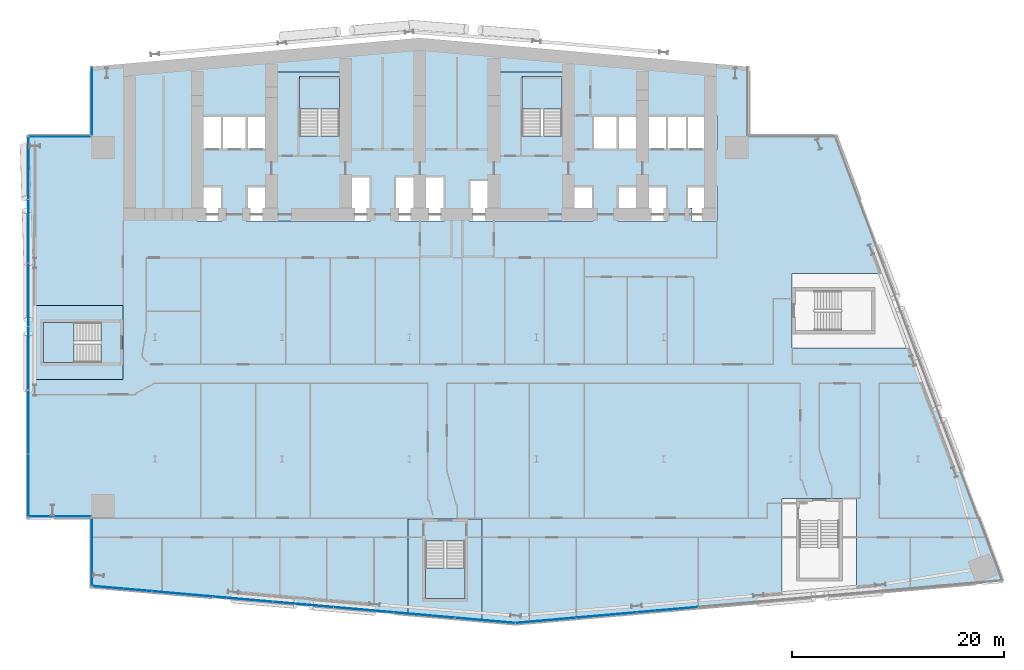
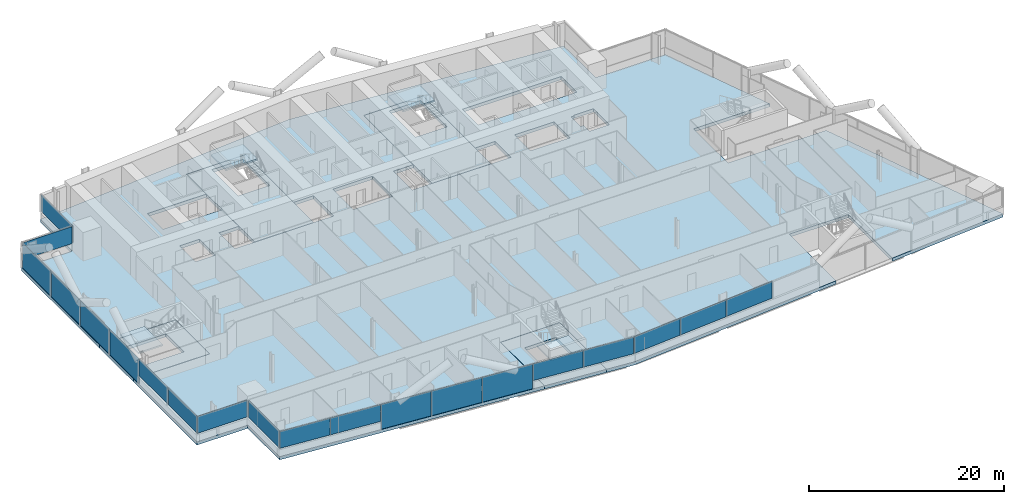
# One storey, part 11 of 28: 20 plates, 9 slabs, 11 elements without a shape of their own.
"""IFC4 building model written with IfcOpenShell, lengths in metres."""

from ifc_helpers import new_model, si_unit, direction, frame, origin, origin_2d, place, context, subcontext, project, spatial, polyline, rectangle, outline, extrude, material, layer, layer_set, type_object, element, aggregate, save


model = new_model("IFC4")

# Units and contexts
model_context = context("Model", 3, precision=1e-05, world=origin(), true_north=direction((0.0, 1.0)))
body_context = subcontext(model_context, "Body", "Model", "MODEL_VIEW")
ifc_project = project(units=[si_unit("LENGTHUNIT", "METRE"), si_unit("AREAUNIT", "SQUARE_METRE"), si_unit("VOLUMEUNIT", "CUBIC_METRE"), si_unit("PLANEANGLEUNIT", "RADIAN"), si_unit("MASSUNIT", "GRAM", prefix="KILO")], contexts=[model_context])

# Site, building, storey
site_placement = place(None, origin())
site = spatial("IfcSite", under=ifc_project, at=site_placement, CompositionType="ELEMENT")
building_placement = place(site_placement, origin())
building = spatial("IfcBuilding", under=site, at=building_placement, Name="Wharfspan Tower", CompositionType="ELEMENT")
storey_placement = place(building_placement, frame((0.0, 0.0, 59.5)))
storey = spatial("IfcBuildingStorey", under=building, at=storey_placement, Name="L11", CompositionType="ELEMENT", Elevation=59.5)

# Curtain wall, plates
ifc_material_1 = material(Name="Aluminium 6063-T6", Category="aluminium")
curtain_wall_type_1 = type_object("IfcCurtainWallType", Name="CURTAIN WALL FACETED FRONT", PredefinedType="NOTDEFINED", material=ifc_material_1)
curtain_wall_1_placement = place(storey_placement, origin())
curtain_wall_1 = element("IfcCurtainWall", 1, at=curtain_wall_1_placement, inside=storey, type_object=curtain_wall_type_1, Name="Curtain wall S1", PredefinedType="NOTDEFINED")
ifc_material_2 = material(Name="Glass clear low-iron double glazing", Category="glass")
ifc_layer_1 = layer(ifc_material_2, 0.040039)
ifc_layer_set_1 = layer_set([ifc_layer_1], Name="Glass clear low-iron double glazing")
plate_type_1 = type_object("IfcPlateType", Name="GLASS PANEL FACETED FRONT 40", PredefinedType="CURTAIN_PANEL", material=ifc_layer_set_1)
plate_1_placement = place(storey_placement, frame((8.877197, -0.716553, 1.0), z_axis=(0.0, 0.0, 1.0), x_axis=(0.996197, -0.087156, 0.0)))
plate_1 = element("IfcPlate", 2, at=plate_1_placement, type_object=plate_type_1, Name="Curtain wall S1 panel 1", PredefinedType="CURTAIN_PANEL", context=body_context, shape_type="SweptSolid", body=[
    extrude(rectangle(XDim=5.645996, YDim=0.040039, at=origin_2d()), origin(), (0.0, 0.0, 1.0), 2.120117),
])
plate_2_placement = place(storey_placement, frame((14.57666, -1.215088, 1.0), z_axis=(0.0, 0.0, 1.0), x_axis=(0.996197, -0.087156, 0.0)))
plate_2 = element("IfcPlate", 3, at=plate_2_placement, type_object=plate_type_1, Name="Curtain wall S1 panel 2", PredefinedType="CURTAIN_PANEL", context=body_context, shape_type="SweptSolid", body=[
    extrude(rectangle(XDim=5.676025, YDim=0.040039, at=origin_2d()), origin(), (0.0, 0.0, 1.0), 2.120117),
])
plate_3_placement = place(storey_placement, frame((37.433838, -3.214844, 1.0), z_axis=(0.0, 0.0, 1.0), x_axis=(0.996197, -0.087156, 0.0)))
plate_3 = element("IfcPlate", 4, at=plate_3_placement, type_object=plate_type_1, Name="Curtain wall S1 panel 6", PredefinedType="CURTAIN_PANEL", context=body_context, shape_type="SweptSolid", body=[
    extrude(rectangle(XDim=5.676025, YDim=0.040039, at=origin_2d()), origin(), (0.0, 0.0, 1.0), 2.120117),
])
plate_4_placement = place(storey_placement, frame((43.133057, -3.713379, 1.0), z_axis=(0.0, 0.0, 1.0), x_axis=(0.996197, -0.087156, 0.0)))
plate_4 = element("IfcPlate", 5, at=plate_4_placement, type_object=plate_type_1, Name="Curtain wall S1 panel 7", PredefinedType="CURTAIN_PANEL", context=body_context, shape_type="SweptSolid", body=[
    extrude(rectangle(XDim=5.645996, YDim=0.040039, at=origin_2d()), origin(), (0.0, 0.0, 1.0), 2.120117),
])

curtain_wall_2_placement = place(storey_placement, origin())
curtain_wall_2 = element("IfcCurtainWall", 6, at=curtain_wall_2_placement, inside=storey, type_object=curtain_wall_type_1, Name="Curtain wall S2", PredefinedType="NOTDEFINED")
plate_5_placement = place(storey_placement, frame((48.884766, -3.711914, 1.0), z_axis=(0.0, 0.0, 1.0), x_axis=(0.996197, 0.087156, 0.0)))
plate_5 = element("IfcPlate", 7, at=plate_5_placement, type_object=plate_type_1, Name="Curtain wall S2 panel 1", PredefinedType="CURTAIN_PANEL", context=body_context, shape_type="SweptSolid", body=[
    extrude(rectangle(XDim=5.681885, YDim=0.040039, at=origin_2d()), origin(), (0.0, 0.0, 1.0), 2.120117),
])
plate_6_placement = place(storey_placement, frame((54.619873, -3.210205, 1.0), z_axis=(0.0, 0.0, 1.0), x_axis=(0.996197, 0.087156, 0.0)))
plate_6 = element("IfcPlate", 8, at=plate_6_placement, type_object=plate_type_1, Name="Curtain wall S2 panel 2", PredefinedType="CURTAIN_PANEL", context=body_context, shape_type="SweptSolid", body=[
    extrude(rectangle(XDim=5.711914, YDim=0.040039, at=origin_2d()), origin(), (0.0, 0.0, 1.0), 2.120117),
])
plate_7_placement = place(storey_placement, frame((60.369873, -2.707031, 1.0), z_axis=(0.0, 0.0, 1.0), x_axis=(0.996197, 0.087156, 0.0)))
plate_7 = element("IfcPlate", 9, at=plate_7_placement, type_object=plate_type_1, Name="Curtain wall S2 panel 3", PredefinedType="CURTAIN_PANEL", context=body_context, shape_type="SweptSolid", body=[
    extrude(rectangle(XDim=5.711914, YDim=0.040039, at=origin_2d()), origin(), (0.0, 0.0, 1.0), 2.120117),
])
aggregate(curtain_wall_2, [plate_5, plate_6, plate_7])

# Curtain wall, plate
curtain_wall_type_2 = type_object("IfcCurtainWallType", Name="CURTAIN WALL PROW AND END", PredefinedType="NOTDEFINED", material=ifc_material_1)
curtain_wall_3_placement = place(storey_placement, origin())
curtain_wall_3 = element("IfcCurtainWall", 10, at=curtain_wall_3_placement, inside=storey, type_object=curtain_wall_type_2, Name="Curtain wall NRW-V", PredefinedType="NOTDEFINED")
ifc_layer_2 = layer(ifc_material_2, 0.040039)
ifc_layer_set_2 = layer_set([ifc_layer_2], Name="Glass clear low-iron double glazing")
plate_type_2 = type_object("IfcPlateType", Name="GLASS PANEL PROW AND END 40", PredefinedType="CURTAIN_PANEL", material=ifc_layer_set_2)
plate_8_placement = place(storey_placement, frame((6.080078, 45.262451, 1.0), z_axis=(0.0, 0.0, 1.0), x_axis=(0.0, -1.0, 0.0)))
plate_8 = element("IfcPlate", 11, at=plate_8_placement, type_object=plate_type_2, Name="Curtain wall NRW-V panel 1", PredefinedType="CURTAIN_PANEL", context=body_context, shape_type="SweptSolid", body=[
    extrude(rectangle(XDim=6.405029, YDim=0.040039, at=origin_2d()), origin(), (0.0, 0.0, 1.0), 2.120117),
])
aggregate(curtain_wall_3, [plate_8])

curtain_wall_4_placement = place(storey_placement, origin())
curtain_wall_4 = element("IfcCurtainWall", 12, at=curtain_wall_4_placement, inside=storey, type_object=curtain_wall_type_2, Name="Curtain wall NRW-H", PredefinedType="NOTDEFINED")
plate_9_placement = place(storey_placement, frame((3.0, 41.919922, 1.0), z_axis=(0.0, 0.0, 1.0), x_axis=(-1.0, 0.0, 0.0)))
plate_9 = element("IfcPlate", 13, at=plate_9_placement, type_object=plate_type_2, Name="Curtain wall NRW-H panel 1", PredefinedType="CURTAIN_PANEL", context=body_context, shape_type="SweptSolid", body=[
    extrude(rectangle(XDim=5.879883, YDim=0.040039, at=origin_2d()), origin(), (0.0, 0.0, 1.0), 2.120117),
])
aggregate(curtain_wall_4, [plate_9])

# Curtain wall, plates
curtain_wall_5_placement = place(storey_placement, origin())
curtain_wall_5 = element("IfcCurtainWall", 14, at=curtain_wall_5_placement, inside=storey, type_object=curtain_wall_type_2, Name="Curtain wall W", PredefinedType="NOTDEFINED")
plate_10_placement = place(storey_placement, frame((0.080078, 15.0, 1.0), z_axis=(0.0, 0.0, 1.0), x_axis=(0.0, -1.0, 0.0)))
plate_10 = element("IfcPlate", 15, at=plate_10_placement, type_object=plate_type_2, Name="Curtain wall W panel 5", PredefinedType="CURTAIN_PANEL", context=body_context, shape_type="SweptSolid", body=[
    extrude(rectangle(XDim=5.939941, YDim=0.040039, at=origin_2d()), origin(), (0.0, 0.0, 1.0), 2.120117),
])
plate_11_placement = place(storey_placement, frame((0.080078, 9.014893, 1.0), z_axis=(0.0, 0.0, 1.0), x_axis=(0.0, -1.0, 0.0)))
plate_11 = element("IfcPlate", 16, at=plate_11_placement, type_object=plate_type_2, Name="Curtain wall W panel 6", PredefinedType="CURTAIN_PANEL", context=body_context, shape_type="SweptSolid", body=[
    extrude(rectangle(XDim=5.909912, YDim=0.040039, at=origin_2d()), origin(), (0.0, 0.0, 1.0), 2.120117),
])

# Curtain wall, plate
curtain_wall_6_placement = place(storey_placement, origin())
curtain_wall_6 = element("IfcCurtainWall", 17, at=curtain_wall_6_placement, inside=storey, type_object=curtain_wall_type_2, Name="Curtain wall NFW-H", PredefinedType="NOTDEFINED")
plate_12_placement = place(storey_placement, frame((3.0, 6.080078, 1.0), z_axis=(0.0, 0.0, 1.0), x_axis=(1.0, 0.0, 0.0)))
plate_12 = element("IfcPlate", 18, at=plate_12_placement, type_object=plate_type_2, Name="Curtain wall NFW-H panel 1", PredefinedType="CURTAIN_PANEL", context=body_context, shape_type="SweptSolid", body=[
    extrude(rectangle(XDim=5.879883, YDim=0.040039, at=origin_2d()), origin(), (0.0, 0.0, 1.0), 2.120117),
])
aggregate(curtain_wall_6, [plate_12])

curtain_wall_7_placement = place(storey_placement, origin())
curtain_wall_7 = element("IfcCurtainWall", 19, at=curtain_wall_7_placement, inside=storey, type_object=curtain_wall_type_2, Name="Curtain wall NFW-V", PredefinedType="NOTDEFINED")
plate_13_placement = place(storey_placement, frame((6.080078, 2.737549, 1.0), z_axis=(0.0, 0.0, 1.0), x_axis=(0.0, -1.0, 0.0)))
plate_13 = element("IfcPlate", 20, at=plate_13_placement, type_object=plate_type_2, Name="Curtain wall NFW-V panel 1", PredefinedType="CURTAIN_PANEL", context=body_context, shape_type="SweptSolid", body=[
    extrude(rectangle(XDim=6.405029, YDim=0.040039, at=origin_2d()), origin(), (0.0, 0.0, 1.0), 2.120117),
])
aggregate(curtain_wall_7, [plate_13])

# Plate
ifc_material_3 = material(Name="Aluminium composite opaque insulated panel", Category="aluminium")
ifc_layer_3 = layer(ifc_material_3, 0.040039)
ifc_layer_set_3 = layer_set([ifc_layer_3], Name="Aluminium composite opaque insulated panel")
plate_type_3 = type_object("IfcPlateType", Name="INFILL PANEL FACETED FRONT OPAQUE 40", PredefinedType="SHEET", material=ifc_layer_set_3)
plate_14_placement = place(storey_placement, frame((20.291016, -1.715088, 0.0), z_axis=(0.0, 0.0, 1.0), x_axis=(0.996197, -0.087156, 0.0)))
plate_14 = element("IfcPlate", 21, at=plate_14_placement, type_object=plate_type_3, Name="Curtain wall S1 panel 3", PredefinedType="SHEET", context=body_context, shape_type="SweptSolid", body=[
    extrude(rectangle(XDim=5.676025, YDim=0.040039, at=origin_2d()), origin(), (0.0, 0.0, 1.0), 3.120117),
])

plate_15_placement = place(storey_placement, frame((26.005127, -2.214844, 0.0), z_axis=(0.0, 0.0, 1.0), x_axis=(0.996197, -0.087156, 0.0)))
plate_15 = element("IfcPlate", 22, at=plate_15_placement, type_object=plate_type_3, Name="Curtain wall S1 panel 4", PredefinedType="SHEET", context=body_context, shape_type="SweptSolid", body=[
    extrude(rectangle(XDim=5.676025, YDim=0.040039, at=origin_2d()), origin(), (0.0, 0.0, 1.0), 3.120117),
])

plate_16_placement = place(storey_placement, frame((31.719482, -2.714844, 0.0), z_axis=(0.0, 0.0, 1.0), x_axis=(0.996197, -0.087156, 0.0)))
plate_16 = element("IfcPlate", 23, at=plate_16_placement, type_object=plate_type_3, Name="Curtain wall S1 panel 5", PredefinedType="SHEET", context=body_context, shape_type="SweptSolid", body=[
    extrude(rectangle(XDim=5.676025, YDim=0.040039, at=origin_2d()), origin(), (0.0, 0.0, 1.0), 3.120117),
])

aggregate(curtain_wall_1, [plate_1, plate_2, plate_14, plate_15, plate_16, plate_3, plate_4])

ifc_layer_4 = layer(ifc_material_3, 0.040039)
ifc_layer_set_4 = layer_set([ifc_layer_4], Name="Aluminium composite opaque insulated panel")
plate_type_4 = type_object("IfcPlateType", Name="INFILL PANEL PROW AND END OPAQUE 40", PredefinedType="SHEET", material=ifc_layer_set_4)
plate_17_placement = place(storey_placement, frame((0.080078, 38.985107, 0.0), z_axis=(0.0, 0.0, 1.0), x_axis=(0.0, -1.0, 0.0)))
plate_17 = element("IfcPlate", 24, at=plate_17_placement, type_object=plate_type_4, Name="Curtain wall W panel 1", PredefinedType="SHEET", context=body_context, shape_type="SweptSolid", body=[
    extrude(rectangle(XDim=5.909912, YDim=0.040039, at=origin_2d()), origin(), (0.0, 0.0, 1.0), 3.120117),
])

plate_18_placement = place(storey_placement, frame((0.080078, 33.0, 0.0), z_axis=(0.0, 0.0, 1.0), x_axis=(0.0, -1.0, 0.0)))
plate_18 = element("IfcPlate", 25, at=plate_18_placement, type_object=plate_type_4, Name="Curtain wall W panel 2", PredefinedType="SHEET", context=body_context, shape_type="SweptSolid", body=[
    extrude(rectangle(XDim=5.939941, YDim=0.040039, at=origin_2d()), origin(), (0.0, 0.0, 1.0), 3.120117),
])

plate_19_placement = place(storey_placement, frame((0.080078, 27.0, 0.0), z_axis=(0.0, 0.0, 1.0), x_axis=(0.0, -1.0, 0.0)))
plate_19 = element("IfcPlate", 26, at=plate_19_placement, type_object=plate_type_4, Name="Curtain wall W panel 3", PredefinedType="SHEET", context=body_context, shape_type="SweptSolid", body=[
    extrude(rectangle(XDim=5.939941, YDim=0.040039, at=origin_2d()), origin(), (0.0, 0.0, 1.0), 3.120117),
])

plate_20_placement = place(storey_placement, frame((0.080078, 21.0, 0.0), z_axis=(0.0, 0.0, 1.0), x_axis=(0.0, -1.0, 0.0)))
plate_20 = element("IfcPlate", 27, at=plate_20_placement, type_object=plate_type_4, Name="Curtain wall W panel 4", PredefinedType="SHEET", context=body_context, shape_type="SweptSolid", body=[
    extrude(rectangle(XDim=5.939941, YDim=0.040039, at=origin_2d()), origin(), (0.0, 0.0, 1.0), 3.120117),
])

aggregate(curtain_wall_5, [plate_17, plate_18, plate_19, plate_20, plate_10, plate_11])

# Slabs
ifc_material_4 = material(Name="Concrete C40/50", Category="concrete")
ifc_layer_5 = layer(ifc_material_4, 0.399902)
ifc_layer_set_5 = layer_set([ifc_layer_5], Name="Concrete C40/50")
slab_type_1 = type_object("IfcSlabType", Name="Post-tensioned flat slab 400", PredefinedType="FLOOR", material=ifc_layer_set_5)
slab_1_placement = place(storey_placement, frame((0.0, 0.0, -0.400146)))
element("IfcSlab", 28, at=slab_1_placement, inside=storey, type_object=slab_type_1, Name="Floor slab L11", PredefinedType="FLOOR", context=body_context, shape_type="SweptSolid", body=[
    extrude(outline(polyline([(35.873291, -3.138428), (35.873291, 5.870605), (42.893311, 5.870605), (42.893311, -3.752686), (46.0, -4.024414), (71.182617, -1.821289), (71.182617, 7.802002), (78.202393, 7.802002), (78.202393, -1.207031), (92.0, 0.0), (83.753662, 21.98999), (72.11499, 21.98999), (72.11499, 29.01001), (81.121338, 29.01001), (76.25, 42.0), (68.0, 42.0), (68.0, 48.524902), (37.0, 51.237061), (6.0, 48.524902), (6.0, 42.0), (0.0, 42.0), (0.0, 26.01001), (9.01001, 26.01001), (9.01001, 18.98999), (0.0, 18.98999), (0.0, 6.0), (6.0, 6.0), (6.0, -0.524902), (35.873291, -3.138428)]), holes=[polyline([(62.290039, 37.159912), (62.656738, 37.159912), (62.656738, 37.26001), (65.01001, 37.26001), (65.01001, 33.98999), (62.656738, 33.98999), (62.656738, 35.189941), (62.290039, 35.189941), (62.290039, 37.159912)]), polyline([(65.01001, 43.909912), (65.01001, 40.689941), (53.323242, 40.689941), (53.323242, 43.909912), (65.01001, 43.909912)]), polyline([(55.656738, 33.98999), (55.656738, 37.26001), (60.343262, 37.26001), (60.343262, 33.98999), (55.656738, 33.98999)]), polyline([(43.98999, 37.860107), (43.98999, 48.01001), (51.01001, 48.01001), (51.01001, 37.26001), (53.343262, 37.26001), (53.343262, 33.98999), (41.656738, 33.98999), (41.656738, 37.860107), (43.98999, 37.860107)]), polyline([(34.656738, 33.98999), (34.656738, 38.159912), (39.343262, 38.159912), (39.343262, 33.98999), (34.656738, 33.98999)]), polyline([(15.98999, 40.689941), (15.98999, 43.909912), (20.656738, 43.909912), (20.676758, 43.909912), (22.98999, 43.909912), (22.98999, 48.01001), (30.01001, 48.01001), (30.01001, 38.159912), (32.343262, 38.159912), (32.343262, 33.98999), (20.656738, 33.98999), (20.656738, 37.26001), (22.98999, 37.26001), (22.98999, 40.689941), (20.676758, 40.689941), (20.656738, 40.689941), (15.98999, 40.689941)]), polyline([(18.343262, 37.26001), (18.343262, 33.98999), (15.98999, 33.98999), (15.98999, 37.26001), (18.343262, 37.26001)])]), origin(), (0.0, 0.0, 1.0), 0.400146),
])
slab_2_placement = place(storey_placement, frame((0.0, 0.0, -0.400146)))
element("IfcSlab", 29, at=slab_2_placement, inside=storey, type_object=slab_type_1, Name="Core floor slab L11 part 1", PredefinedType="FLOOR", context=body_context, shape_type="SweptSolid", body=[
    extrude(outline(polyline([(9.0, 20.324951), (9.0, 24.675049), (9.0, 26.0), (0.0, 26.0), (0.0, 19.0), (9.0, 19.0), (9.0, 20.324951)]), holes=[polyline([(6.9021, 20.625), (6.9021, 20.624756), (6.9021, 20.624512), (6.901855, 20.624512), (6.901855, 20.624268), (6.901855, 20.624023), (6.901611, 20.623779), (6.901611, 20.623779), (6.901367, 20.623535), (6.901367, 20.623535), (6.901123, 20.623291), (6.900879, 20.623291), (6.900879, 20.623291), (6.900635, 20.623047), (6.900391, 20.623047), (6.900146, 20.623047), (6.899902, 20.623047), (1.5, 20.623047), (1.499756, 20.623047), (1.499512, 20.623047), (1.499512, 20.623047), (1.499268, 20.623291), (1.499023, 20.623291), (1.498779, 20.623291), (1.498779, 20.623535), (1.498535, 20.623535), (1.498535, 20.623779), (1.498291, 20.623779), (1.498291, 20.624023), (1.498291, 20.624268), (1.498047, 20.624512), (1.498047, 20.624512), (1.498047, 20.624756), (1.498047, 20.625), (1.498047, 24.375), (1.498047, 24.375244), (1.498047, 24.375488), (1.498047, 24.375488), (1.498291, 24.375732), (1.498291, 24.375977), (1.498291, 24.376221), (1.498535, 24.376221), (1.498535, 24.376465), (1.498779, 24.376465), (1.498779, 24.376709), (1.499023, 24.376709), (1.499268, 24.376709), (1.499512, 24.376953), (1.499512, 24.376953), (1.499756, 24.376953), (1.5, 24.376953), (6.899902, 24.376953), (6.900146, 24.376953), (6.900391, 24.376953), (6.900635, 24.376953), (6.900879, 24.376709), (6.900879, 24.376709), (6.901123, 24.376709), (6.901367, 24.376465), (6.901367, 24.376465), (6.901611, 24.376221), (6.901611, 24.376221), (6.901855, 24.375977), (6.901855, 24.375732), (6.901855, 24.375488), (6.9021, 24.375488), (6.9021, 24.375244), (6.9021, 24.375), (6.9021, 20.625)])]), origin(), (0.0, 0.0, 1.0), 0.400146),
])
slab_3_placement = place(storey_placement, frame((0.0, 0.0, -0.400146)))
element("IfcSlab", 30, at=slab_3_placement, inside=storey, type_object=slab_type_1, Name="Core floor slab L11 part 2", PredefinedType="FLOOR", context=body_context, shape_type="SweptSolid", body=[
    extrude(outline(polyline([(20.664795, 34.0), (20.664795, 37.25), (20.664795, 37.250244), (20.664795, 37.250488), (20.664795, 37.250488), (20.664795, 37.250732), (20.664795, 37.250977), (20.665039, 37.251221), (20.665039, 37.251221), (20.665283, 37.251465), (20.665283, 37.251465), (20.665527, 37.251709), (20.665771, 37.251709), (20.666016, 37.251709), (20.666016, 37.251953), (20.66626, 37.251953), (20.666504, 37.251953), (20.666748, 37.251953), (23.0, 37.251953), (23.000244, 37.251953), (23.000488, 37.251953), (23.000488, 37.251953), (23.000732, 37.251709), (23.000977, 37.251709), (23.001221, 37.251709), (23.001221, 37.251465), (23.001465, 37.251465), (23.001465, 37.251221), (23.001709, 37.251221), (23.001709, 37.250977), (23.001709, 37.250732), (23.001953, 37.250488), (23.001953, 37.250488), (23.001953, 37.250244), (23.001953, 37.25), (23.001953, 34.0), (29.998047, 34.0), (29.998047, 38.149902), (29.998047, 38.150146), (29.998047, 38.150391), (29.998047, 38.150635), (29.998291, 38.150879), (29.998291, 38.150879), (29.998291, 38.151123), (29.998535, 38.151367), (29.998535, 38.151367), (29.998779, 38.151611), (29.998779, 38.151611), (29.999023, 38.151855), (29.999268, 38.151855), (29.999512, 38.151855), (29.999512, 38.1521), (29.999756, 38.1521), (30.0, 38.1521), (32.333252, 38.1521), (32.333496, 38.1521), (32.33374, 38.1521), (32.333984, 38.151855), (32.333984, 38.151855), (32.334229, 38.151855), (32.334473, 38.151611), (32.334717, 38.151611), (32.334717, 38.151367), (32.334961, 38.151367), (32.334961, 38.151123), (32.335205, 38.150879), (32.335205, 38.150879), (32.335205, 38.150635), (32.335205, 38.150391), (32.335205, 38.150146), (32.335205, 38.149902), (32.335205, 34.0), (32.341309, 34.0), (32.341309, 38.157959), (30.01001, 38.157959), (30.009766, 38.157959), (30.009521, 38.157959), (30.009521, 38.158203), (30.009277, 38.158203), (30.009033, 38.158203), (30.008789, 38.158203), (30.008789, 38.158447), (30.008545, 38.158691), (30.008545, 38.158691), (30.008301, 38.158936), (30.008301, 38.15918), (30.008301, 38.15918), (30.008057, 38.159424), (30.008057, 38.159668), (30.008057, 38.159912), (30.008057, 38.159912), (30.008057, 48.008057), (22.991943, 48.008057), (22.991943, 43.909912), (22.991943, 43.909912), (22.991943, 43.909668), (22.991943, 43.909424), (22.991699, 43.90918), (22.991699, 43.90918), (22.991699, 43.908936), (22.991455, 43.908691), (22.991455, 43.908691), (22.991211, 43.908447), (22.991211, 43.908203), (22.990967, 43.908203), (22.990723, 43.908203), (22.990479, 43.908203), (22.990479, 43.907959), (22.990234, 43.907959), (22.98999, 43.907959), (15.991943, 43.907959), (15.991943, 40.691895), (22.98999, 40.691895), (22.990234, 40.691895), (22.990479, 40.691895), (22.990479, 40.691895), (22.990723, 40.691895), (22.990967, 40.691895), (22.991211, 40.69165), (22.991211, 40.691406), (22.991455, 40.691406), (22.991455, 40.691406), (22.991699, 40.691162), (22.991699, 40.690918), (22.991699, 40.690918), (22.991943, 40.690674), (22.991943, 40.69043), (22.991943, 40.690186), (22.991943, 40.689941), (22.991943, 37.26001), (22.991943, 37.259766), (22.991943, 37.259521), (22.991943, 37.259521), (22.991699, 37.259277), (22.991699, 37.259033), (22.991699, 37.258789), (22.991455, 37.258789), (22.991455, 37.258545), (22.991211, 37.258545), (22.991211, 37.258301), (22.990967, 37.258301), (22.990723, 37.258301), (22.990479, 37.258057), (22.990479, 37.258057), (22.990234, 37.258057), (22.98999, 37.258057), (20.658691, 37.258057), (20.658691, 34.0), (20.664795, 34.0)]), holes=[polyline([(29.4021, 42.0), (29.4021, 41.999756), (29.4021, 41.999512), (29.401855, 41.999512), (29.401855, 41.999268), (29.401855, 41.999023), (29.401611, 41.998779), (29.401611, 41.998779), (29.401367, 41.998535), (29.401367, 41.998535), (29.401123, 41.998291), (29.400879, 41.998291), (29.400879, 41.998291), (29.400635, 41.998047), (29.400391, 41.998047), (29.400146, 41.998047), (29.399902, 41.998047), (25.649902, 41.998047), (25.649902, 41.998047), (25.649658, 41.998047), (25.649414, 41.998047), (25.64917, 41.998291), (25.64917, 41.998291), (25.648926, 41.998291), (25.648682, 41.998535), (25.648682, 41.998535), (25.648438, 41.998779), (25.648193, 41.998779), (25.648193, 41.999023), (25.648193, 41.999268), (25.648193, 41.999512), (25.647949, 41.999512), (25.647949, 41.999756), (25.647949, 42.0), (25.647949, 47.399902), (25.647949, 47.400146), (25.647949, 47.400391), (25.648193, 47.400635), (25.648193, 47.400879), (25.648193, 47.400879), (25.648193, 47.401123), (25.648438, 47.401367), (25.648682, 47.401367), (25.648682, 47.401611), (25.648926, 47.401611), (25.64917, 47.401855), (25.64917, 47.401855), (25.649414, 47.401855), (25.649658, 47.4021), (25.649902, 47.4021), (25.649902, 47.4021), (29.399902, 47.4021), (29.400146, 47.4021), (29.400391, 47.4021), (29.400635, 47.401855), (29.400879, 47.401855), (29.400879, 47.401855), (29.401123, 47.401611), (29.401367, 47.401611), (29.401367, 47.401367), (29.401611, 47.401367), (29.401611, 47.401123), (29.401855, 47.400879), (29.401855, 47.400879), (29.401855, 47.400635), (29.4021, 47.400391), (29.4021, 47.400146), (29.4021, 47.399902), (29.4021, 42.0)]), polyline([(16.0, 40.697998), (15.999756, 40.697998), (15.999512, 40.697998), (15.999512, 40.697998), (15.999268, 40.698242), (15.999023, 40.698242), (15.998779, 40.698242), (15.998779, 40.698486), (15.998535, 40.698486), (15.998535, 40.69873), (15.998291, 40.698975), (15.998291, 40.699219), (15.998291, 40.699219), (15.998047, 40.699463), (15.998047, 40.699707), (15.998047, 40.699707), (15.998047, 40.699951), (15.998047, 43.899902), (15.998047, 43.900146), (15.998047, 43.900391), (15.998047, 43.900635), (15.998291, 43.900879), (15.998291, 43.900879), (15.998291, 43.901123), (15.998535, 43.901367), (15.998535, 43.901367), (15.998779, 43.901611), (15.998779, 43.901611), (15.999023, 43.901855), (15.999268, 43.901855), (15.999512, 43.901855), (15.999512, 43.9021), (15.999756, 43.9021), (16.0, 43.9021), (20.666748, 43.9021), (20.666748, 43.9021), (23.0, 43.9021), (23.000244, 43.9021), (23.000488, 43.9021), (23.000488, 43.901855), (23.000732, 43.901855), (23.000977, 43.901855), (23.001221, 43.901611), (23.001221, 43.901611), (23.001465, 43.901367), (23.001465, 43.901367), (23.001709, 43.901123), (23.001709, 43.900879), (23.001709, 43.900879), (23.001953, 43.900635), (23.001953, 43.900391), (23.001953, 43.900146), (23.001953, 43.899902), (23.001953, 40.699951), (23.001953, 40.699707), (23.001953, 40.699707), (23.001953, 40.699463), (23.001709, 40.699219), (23.001709, 40.699219), (23.001709, 40.698975), (23.001465, 40.69873), (23.001465, 40.698486), (23.001221, 40.698486), (23.001221, 40.698242), (23.000977, 40.698242), (23.000732, 40.698242), (23.000488, 40.697998), (23.000488, 40.697998), (23.000244, 40.697998), (23.0, 40.697998), (20.666748, 40.697998), (20.666748, 40.697998), (16.0, 40.697998)])]), origin(), (0.0, 0.0, 1.0), 0.400146),
])
slab_4_placement = place(storey_placement, frame((0.0, 0.0, -0.400146)))
element("IfcSlab", 31, at=slab_4_placement, inside=storey, type_object=slab_type_1, Name="Core floor slab L11 part 3", PredefinedType="FLOOR", context=body_context, shape_type="SweptSolid", body=[
    extrude(outline(polyline([(41.55835, 5.860596), (37.208252, 5.860596), (35.883301, 5.860596), (35.883301, -3.139404), (42.883301, -3.751709), (42.883301, 5.860596), (41.55835, 5.860596)]), holes=[polyline([(37.506348, 3.760498), (37.506348, 3.760742), (37.506348, 3.760986), (37.506348, 3.76123), (37.506592, 3.761475), (37.506592, 3.761719), (37.506592, 3.761719), (37.506836, 3.761963), (37.506836, 3.761963), (37.50708, 3.762207), (37.50708, 3.762207), (37.507324, 3.762451), (37.507568, 3.762451), (37.507812, 3.762451), (37.507812, 3.762695), (37.508057, 3.762695), (37.508301, 3.762695), (41.258301, 3.762695), (41.258545, 3.762695), (41.258789, 3.762695), (41.258789, 3.762451), (41.259033, 3.762451), (41.259277, 3.762451), (41.259521, 3.762207), (41.259521, 3.762207), (41.259766, 3.761963), (41.26001, 3.761963), (41.26001, 3.761719), (41.26001, 3.761719), (41.260254, 3.761475), (41.260254, 3.76123), (41.260254, 3.760986), (41.260254, 3.760742), (41.260254, 3.760498), (41.260254, -1.639404), (41.260254, -1.639648), (41.260254, -1.639893), (41.260254, -1.639893), (41.260254, -1.640137), (41.26001, -1.640381), (41.26001, -1.640381), (41.26001, -1.640625), (41.259766, -1.640869), (41.259521, -1.640869), (41.259521, -1.641113), (41.259277, -1.641113), (41.259033, -1.641113), (41.258789, -1.641357), (41.258789, -1.641357), (41.258545, -1.641357), (41.258301, -1.641357), (37.508301, -1.641357), (37.508057, -1.641357), (37.507812, -1.641357), (37.507812, -1.641357), (37.507568, -1.641113), (37.507324, -1.641113), (37.50708, -1.641113), (37.50708, -1.640869), (37.506836, -1.640869), (37.506836, -1.640625), (37.506592, -1.640381), (37.506592, -1.640381), (37.506592, -1.640137), (37.506348, -1.639893), (37.506348, -1.639893), (37.506348, -1.639648), (37.506348, -1.639404), (37.506348, 3.760498)])]), origin(), (0.0, 0.0, 1.0), 0.400146),
])
slab_5_placement = place(storey_placement, frame((0.0, 0.0, -0.400146)))
element("IfcSlab", 32, at=slab_5_placement, inside=storey, type_object=slab_type_1, Name="Core floor slab L11 part 4", PredefinedType="FLOOR", context=body_context, shape_type="SweptSolid", body=[
    extrude(outline(polyline([(53.341309, 34.0), (53.341309, 37.258057), (51.01001, 37.258057), (51.009766, 37.258057), (51.009521, 37.258057), (51.009521, 37.258057), (51.009277, 37.258301), (51.009033, 37.258301), (51.008789, 37.258301), (51.008789, 37.258545), (51.008545, 37.258545), (51.008545, 37.258789), (51.008301, 37.258789), (51.008301, 37.259033), (51.008301, 37.259277), (51.008057, 37.259521), (51.008057, 37.259521), (51.008057, 37.259766), (51.008057, 37.26001), (51.008057, 48.008057), (43.991943, 48.008057), (43.991943, 37.860107), (43.991943, 37.859863), (43.991943, 37.859619), (43.991943, 37.859375), (43.991699, 37.859131), (43.991699, 37.859131), (43.991699, 37.858887), (43.991455, 37.858643), (43.991455, 37.858643), (43.991211, 37.858398), (43.991211, 37.858398), (43.990967, 37.858154), (43.990723, 37.858154), (43.990479, 37.858154), (43.990479, 37.85791), (43.990234, 37.85791), (43.98999, 37.85791), (41.658691, 37.85791), (41.658691, 34.0), (41.664795, 34.0), (41.664795, 37.850098), (41.664795, 37.850098), (41.664795, 37.850342), (41.664795, 37.850586), (41.664795, 37.85083), (41.664795, 37.85083), (41.665039, 37.851074), (41.665039, 37.851318), (41.665283, 37.851318), (41.665283, 37.851562), (41.665527, 37.851807), (41.665771, 37.851807), (41.666016, 37.851807), (41.666016, 37.851807), (41.66626, 37.852051), (41.666504, 37.852051), (41.666748, 37.852051), (44.0, 37.852051), (44.000244, 37.852051), (44.000488, 37.852051), (44.000488, 37.851807), (44.000732, 37.851807), (44.000977, 37.851807), (44.001221, 37.851807), (44.001221, 37.851562), (44.001465, 37.851318), (44.001465, 37.851318), (44.001709, 37.851074), (44.001709, 37.85083), (44.001709, 37.85083), (44.001953, 37.850586), (44.001953, 37.850342), (44.001953, 37.850098), (44.001953, 37.850098), (44.001953, 34.0), (50.998047, 34.0), (50.998047, 37.25), (50.998047, 37.250244), (50.998047, 37.250488), (50.998047, 37.250488), (50.998291, 37.250732), (50.998291, 37.250977), (50.998291, 37.251221), (50.998535, 37.251221), (50.998535, 37.251465), (50.998779, 37.251465), (50.998779, 37.251709), (50.999023, 37.251709), (50.999268, 37.251709), (50.999512, 37.251953), (50.999512, 37.251953), (50.999756, 37.251953), (51.0, 37.251953), (53.333252, 37.251953), (53.333496, 37.251953), (53.33374, 37.251953), (53.333984, 37.251953), (53.333984, 37.251709), (53.334229, 37.251709), (53.334473, 37.251709), (53.334717, 37.251465), (53.334717, 37.251465), (53.334961, 37.251221), (53.334961, 37.251221), (53.335205, 37.250977), (53.335205, 37.250732), (53.335205, 37.250488), (53.335205, 37.250488), (53.335205, 37.250244), (53.335205, 37.25), (53.335205, 34.0), (53.341309, 34.0)]), holes=[polyline([(46.649902, 41.998047), (46.649902, 41.998047), (46.649658, 41.998047), (46.649414, 41.998047), (46.64917, 41.998291), (46.64917, 41.998291), (46.648926, 41.998291), (46.648682, 41.998535), (46.648682, 41.998535), (46.648438, 41.998779), (46.648193, 41.998779), (46.648193, 41.999023), (46.648193, 41.999268), (46.648193, 41.999512), (46.647949, 41.999512), (46.647949, 41.999756), (46.647949, 42.0), (46.647949, 47.399902), (46.647949, 47.400146), (46.647949, 47.400391), (46.648193, 47.400635), (46.648193, 47.400879), (46.648193, 47.400879), (46.648193, 47.401123), (46.648438, 47.401367), (46.648682, 47.401367), (46.648682, 47.401611), (46.648926, 47.401611), (46.64917, 47.401855), (46.64917, 47.401855), (46.649414, 47.401855), (46.649658, 47.4021), (46.649902, 47.4021), (46.649902, 47.4021), (50.399902, 47.4021), (50.400146, 47.4021), (50.400391, 47.4021), (50.400635, 47.401855), (50.400879, 47.401855), (50.400879, 47.401855), (50.401123, 47.401611), (50.401367, 47.401611), (50.401367, 47.401367), (50.401611, 47.401367), (50.401611, 47.401123), (50.401855, 47.400879), (50.401855, 47.400879), (50.401855, 47.400635), (50.4021, 47.400391), (50.4021, 47.400146), (50.4021, 47.399902), (50.4021, 42.0), (50.4021, 41.999756), (50.4021, 41.999512), (50.401855, 41.999512), (50.401855, 41.999268), (50.401855, 41.999023), (50.401611, 41.998779), (50.401611, 41.998779), (50.401367, 41.998535), (50.401367, 41.998535), (50.401123, 41.998291), (50.400879, 41.998291), (50.400879, 41.998291), (50.400635, 41.998047), (50.400391, 41.998047), (50.400146, 41.998047), (50.399902, 41.998047), (46.649902, 41.998047)])]), origin(), (0.0, 0.0, 1.0), 0.400146),
])

# Stair, slab
stair_type = type_object("IfcStairType", Name="Half-turn stair 20 risers 180 mm", PredefinedType="HALF_TURN_STAIR", material=ifc_material_4)
stair_1_placement = place(storey_placement, origin())
stair_1 = element("IfcStair", 33, at=stair_1_placement, inside=storey, type_object=stair_type, Name="L11 stair ST1", PredefinedType="HALF_TURN_STAIR")
ifc_layer_6 = layer(ifc_material_4, 0.199951)
ifc_layer_set_6 = layer_set([ifc_layer_6], Name="Concrete C40/50")
slab_type_2 = type_object("IfcSlabType", Name="Stair landing 200", PredefinedType="LANDING", material=ifc_layer_set_6)
slab_6_placement = place(storey_placement, frame((0.0, 0.0, 1.599854)))
slab_6 = element("IfcSlab", 34, at=slab_6_placement, type_object=slab_type_2, Name="ST1 landing 1", PredefinedType="LANDING", context=body_context, shape_type="SweptSolid", body=[
    extrude(outline(polyline([(25.649902, 44.52002), (29.399902, 44.52002), (29.399902, 47.582764), (25.649902, 47.582764), (25.649902, 44.52002)])), origin(), (0.0, 0.0, 1.0), 0.200195),
])
aggregate(stair_1, [slab_6])

stair_2_placement = place(storey_placement, origin())
stair_2 = element("IfcStair", 35, at=stair_2_placement, inside=storey, type_object=stair_type, Name="L11 stair ST2", PredefinedType="HALF_TURN_STAIR")
slab_7_placement = place(storey_placement, frame((0.0, 0.0, 1.599854)))
slab_7 = element("IfcSlab", 36, at=slab_7_placement, type_object=slab_type_2, Name="ST2 landing 1", PredefinedType="LANDING", context=body_context, shape_type="SweptSolid", body=[
    extrude(outline(polyline([(46.649902, 44.52002), (50.399902, 44.52002), (50.399902, 47.582764), (46.649902, 47.582764), (46.649902, 44.52002)])), origin(), (0.0, 0.0, 1.0), 0.200195),
])
aggregate(stair_2, [slab_7])

stair_3_placement = place(storey_placement, origin())
stair_3 = element("IfcStair", 37, at=stair_3_placement, inside=storey, type_object=stair_type, Name="L11 stair ST3", PredefinedType="HALF_TURN_STAIR")
slab_8_placement = place(storey_placement, frame((0.0, 0.0, 1.599854)))
slab_8 = element("IfcSlab", 38, at=slab_8_placement, type_object=slab_type_2, Name="ST3 landing 1", PredefinedType="LANDING", context=body_context, shape_type="SweptSolid", body=[
    extrude(outline(polyline([(4.379883, 24.375), (1.5, 24.375), (1.5, 20.625), (4.379883, 20.625), (4.379883, 24.375)])), origin(), (0.0, 0.0, 1.0), 0.200195),
])
aggregate(stair_3, [slab_8])

stair_4_placement = place(storey_placement, origin())
stair_4 = element("IfcStair", 39, at=stair_4_placement, inside=storey, type_object=stair_type, Name="L11 stair ST4", PredefinedType="HALF_TURN_STAIR")
slab_9_placement = place(storey_placement, frame((0.0, 0.0, 1.599854)))
slab_9 = element("IfcSlab", 40, at=slab_9_placement, type_object=slab_type_2, Name="ST4 landing 1", PredefinedType="LANDING", context=body_context, shape_type="SweptSolid", body=[
    extrude(outline(polyline([(37.508301, 1.240723), (37.508301, -1.639404), (41.258301, -1.639404), (41.258301, 1.240723), (37.508301, 1.240723)])), origin(), (0.0, 0.0, 1.0), 0.200195),
])
aggregate(stair_4, [slab_9])

save(model, "model.ifc")
